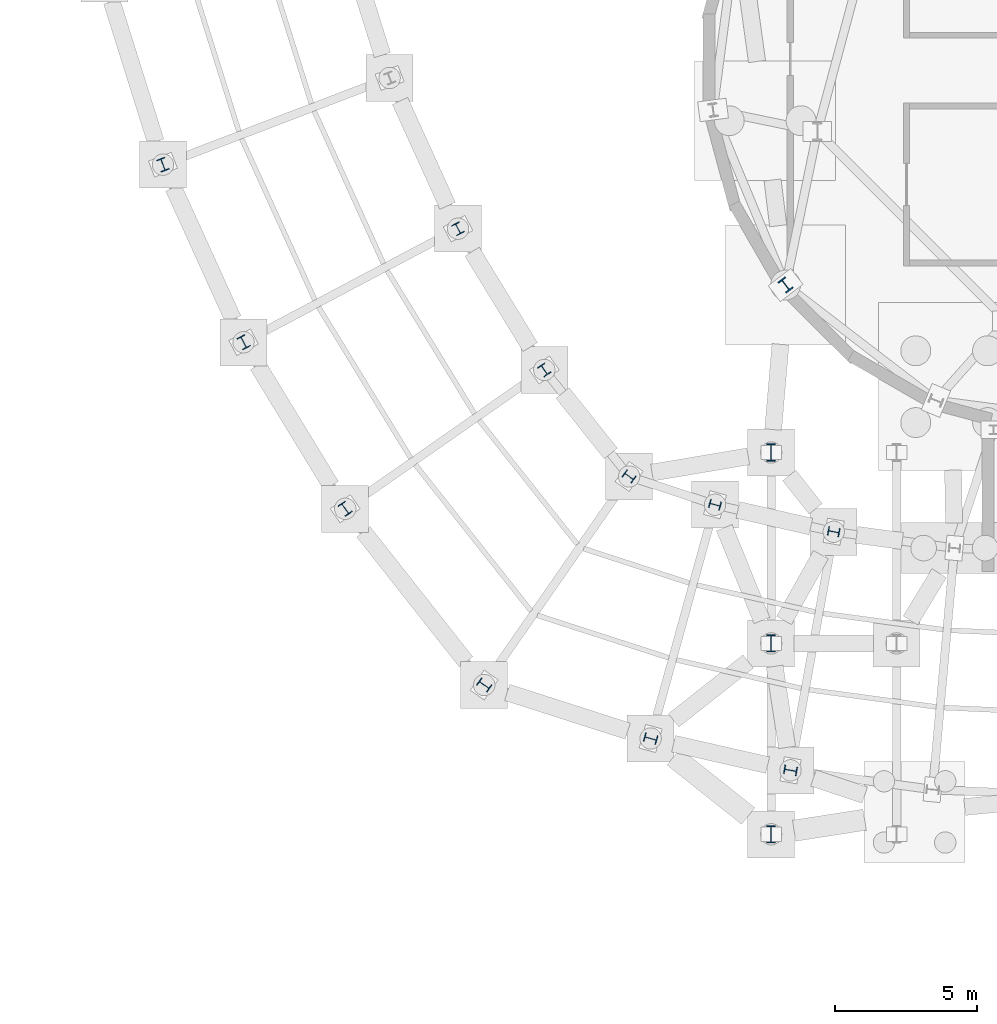
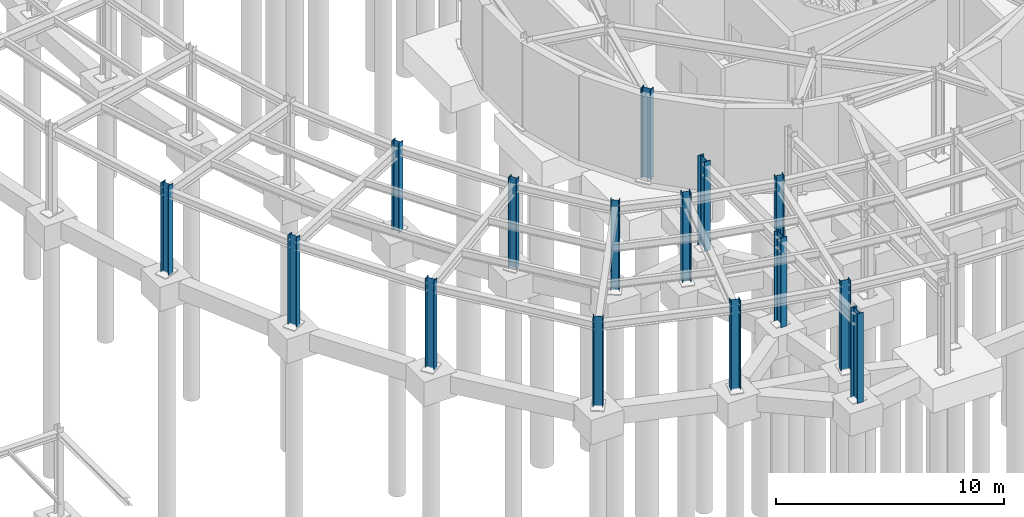
# One storey, part 11 of 50: 15 columns.
"""IFC4 building model written with IfcOpenShell, lengths in metres."""

from ifc_helpers import new_model, si_unit, direction, frame, origin, origin_2d, place, context, subcontext, project, spatial, i_section, extrude, material, material_profile, profile_set, type_object, element, save


model = new_model("IFC4")

# Units and contexts
model_context = context("Model", 3, precision=1e-05, world=origin(), true_north=direction((0.0, 1.0)))
body_context = subcontext(model_context, "Body", "Model", "MODEL_VIEW")
ifc_project = project(units=[si_unit("LENGTHUNIT", "METRE"), si_unit("AREAUNIT", "SQUARE_METRE"), si_unit("VOLUMEUNIT", "CUBIC_METRE"), si_unit("PLANEANGLEUNIT", "RADIAN"), si_unit("MASSUNIT", "GRAM", prefix="KILO")], contexts=[model_context])

# Site, building, storey
site_placement = place(None, origin())
site = spatial("IfcSite", under=ifc_project, at=site_placement, CompositionType="ELEMENT")
building_placement = place(site_placement, origin())
building = spatial("IfcBuilding", under=site, at=building_placement, Name="Varnklinge Art Gallery", CompositionType="ELEMENT")
storey_placement = place(building_placement, frame((0.0, 0.0, -4.800048828125)))
storey = spatial("IfcBuildingStorey", under=building, at=storey_placement, Name="B01", CompositionType="ELEMENT", Elevation=-4.800048828125)

# Columns
ifc_material_1 = material(Name="Steel S355", Category="steel")
ifc_material_profile_1 = material_profile(ifc_material_1, i_section(OverallWidth=0.306884765625, OverallDepth=0.47802734375, WebThickness=0.02099609375, FlangeThickness=0.0400390625, FilletRadius=0.027099609375, at=origin_2d()), Name="HEM 450")
ifc_profile_set_1 = profile_set([ifc_material_profile_1], Name="Steel S355")
column_type_1 = type_object("IfcColumnType", Name="COL-02", PredefinedType="COLUMN", material=ifc_profile_set_1)
column_placement = place(storey_placement, frame((65.305419921875, 30.677490234375, 0.0), z_axis=(0.0, 0.0, 1.0), x_axis=(-0.793353340291, -0.608761429009, 0.0)))
element("IfcColumn", 1, at=column_placement, inside=storey, type_object=column_type_1, Name="B01 Column V4CP-08", PredefinedType="COLUMN", context=body_context, shape_type="SweptSolid", body=[
    extrude(i_section(OverallWidth=0.306884765625, OverallDepth=0.47802734375, WebThickness=0.02099609375, FlangeThickness=0.0400390625, FilletRadius=0.027099609375, at=origin_2d()), origin(), (0.0, 0.0, 1.0), 4.800048828125),
])
ifc_material_2 = material(Name="Steel S355", Category="steel")
ifc_material_profile_2 = material_profile(ifc_material_2, i_section(OverallWidth=0.300048828125, OverallDepth=0.60009765625, WebThickness=0.015380859375, FlangeThickness=0.030029296875, FilletRadius=0.027099609375, at=origin_2d()), Name="HEB 600")
ifc_profile_set_2 = profile_set([ifc_material_profile_2], Name="Steel S355")
column_type_2 = type_object("IfcColumnType", Name="COL-04", PredefinedType="COLUMN", material=ifc_profile_set_2)
for number, where, z_axis, x_axis, name in (
    (2, (64.800048828125, 11.39990234375, 0.0), (0.0, 0.0, 1.0), (1.0, 0.0, 0.0), "B01 Column CAN-FC-1"),
    (3, (64.800048828125, 18.10009765625, 0.0), (0.0, 0.0, 1.0), (1.0, 0.0, 0.0), "B01 Column CAN-MB-1"),
    (4, (64.800048828125, 24.800048828125, 0.0), (0.0, 0.0, 1.0), (1.0, 0.0, 0.0), "B01 Column CAN-BK-1"),
):
    element("IfcColumn", number, at=place(storey_placement, frame(where, z_axis=z_axis, x_axis=x_axis)), inside=storey, type_object=column_type_2, Name=name, PredefinedType="COLUMN", context=body_context, shape_type="SweptSolid", body=[
        extrude(i_section(OverallWidth=0.300048828125, OverallDepth=0.60009765625, WebThickness=0.015380859375, FlangeThickness=0.030029296875, FilletRadius=0.027099609375, at=origin_2d()), origin(), (0.0, 0.0, 1.0), 4.800048828125),
    ])
ifc_material_3 = material(Name="Steel S355", Category="steel")
ifc_material_profile_3 = material_profile(ifc_material_3, i_section(OverallWidth=0.300048828125, OverallDepth=0.449951171875, WebThickness=0.013916015625, FlangeThickness=0.02587890625, FilletRadius=0.027099609375, at=origin_2d()), Name="HEB 450")
ifc_profile_set_3 = profile_set([ifc_material_profile_3], Name="Steel S355")
column_type_3 = type_object("IfcColumnType", Name="COL-06", PredefinedType="COLUMN", material=ifc_profile_set_3)
for number, where, z_axis, x_axis, name in (
    (5, (43.45361328125, 34.90283203125, 0.0), (0.0, 0.0, 1.0), (0.934017558691, 0.357227098715, 0.0), "B01 Column V2CO-30"),
    (6, (46.28369140625, 28.6689453125, 0.0), (0.0, 0.0, 1.0), (0.883683947469, 0.468084053333, 0.0), "B01 Column V2CO-31"),
    (7, (49.85009765625, 22.8251953125, 0.0), (0.0, 0.0, 1.0), (0.820351542489, 0.571859551582, 0.0), "B01 Column V2CO-32"),
    (8, (54.72900390625, 16.64013671875, 0.0), (0.0, 0.0, 1.0), (0.570570241419, 0.821248804935, 0.0), "B01 Column V2CO-33"),
    (9, (60.5703125, 14.7626953125, 0.0), (0.0, 0.0, 1.0), (0.265387847052, 0.964141737836, 0.0), "B01 Column V2CO-34"),
    (10, (65.479736328125, 13.64501953125, 0.0), (0.0, 0.0, 1.0), (0.178115290264, 0.984009625651, 0.0), "B01 Column V2CO-35"),
):
    element("IfcColumn", number, at=place(storey_placement, frame(where, z_axis=z_axis, x_axis=x_axis)), inside=storey, type_object=column_type_3, Name=name, PredefinedType="COLUMN", context=body_context, shape_type="SweptSolid", body=[
        extrude(i_section(OverallWidth=0.300048828125, OverallDepth=0.449951171875, WebThickness=0.013916015625, FlangeThickness=0.02587890625, FilletRadius=0.027099609375, at=origin_2d()), origin(), (0.0, 0.0, 1.0), 4.800048828125),
    ])
ifc_material_4 = material(Name="Steel S355", Category="steel")
ifc_material_profile_4 = material_profile(ifc_material_4, i_section(OverallWidth=0.300048828125, OverallDepth=0.39990234375, WebThickness=0.013427734375, FlangeThickness=0.02392578125, FilletRadius=0.027099609375, at=origin_2d()), Name="HEB 400")
ifc_profile_set_4 = profile_set([ifc_material_profile_4], Name="Steel S355")
column_type_4 = type_object("IfcColumnType", Name="COL-07", PredefinedType="COLUMN", material=ifc_profile_set_4)
for number, where, z_axis, x_axis, name in (
    (11, (53.810302734375, 32.655517578125, 0.0), (0.0, 0.0, 1.0), (0.883683947469, 0.468084053333, 0.0), "B01 Column V2CI-31"),
    (12, (56.8369140625, 27.6962890625, 0.0), (0.0, 0.0, 1.0), (0.820351542489, 0.571859551582, 0.0), "B01 Column V2CI-32"),
    (13, (59.814208984375, 23.958984375, 0.0), (0.0, 0.0, 1.0), (0.570570241419, 0.821248804935, 0.0), "B01 Column V2CI-33"),
    (14, (62.82861328125, 22.966796875, 0.0), (0.0, 0.0, 1.0), (0.265387847052, 0.964141737836, 0.0), "B01 Column V2CI-34"),
    (15, (66.99560546875, 22.018310546875, 0.0), (0.0, 0.0, 1.0), (0.178115290264, 0.984009625651, 0.0), "B01 Column V2CI-35"),
):
    element("IfcColumn", number, at=place(storey_placement, frame(where, z_axis=z_axis, x_axis=x_axis)), inside=storey, type_object=column_type_4, Name=name, PredefinedType="COLUMN", context=body_context, shape_type="SweptSolid", body=[
        extrude(i_section(OverallWidth=0.300048828125, OverallDepth=0.39990234375, WebThickness=0.013427734375, FlangeThickness=0.02392578125, FilletRadius=0.027099609375, at=origin_2d()), origin(), (0.0, 0.0, 1.0), 4.800048828125),
    ])

save(model, "model.ifc")
